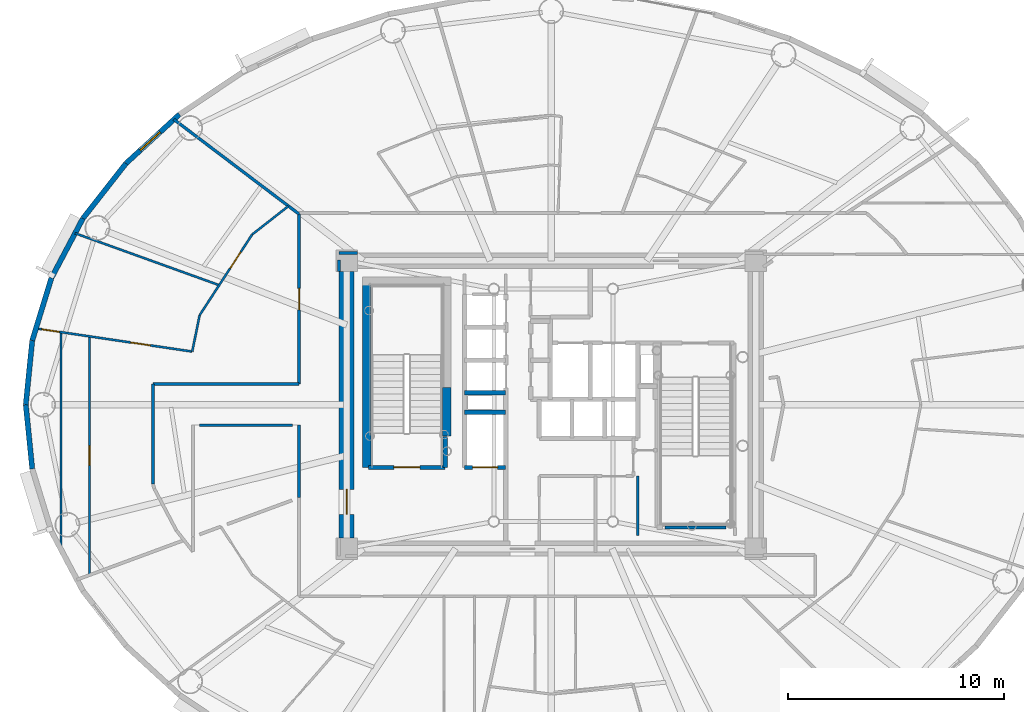
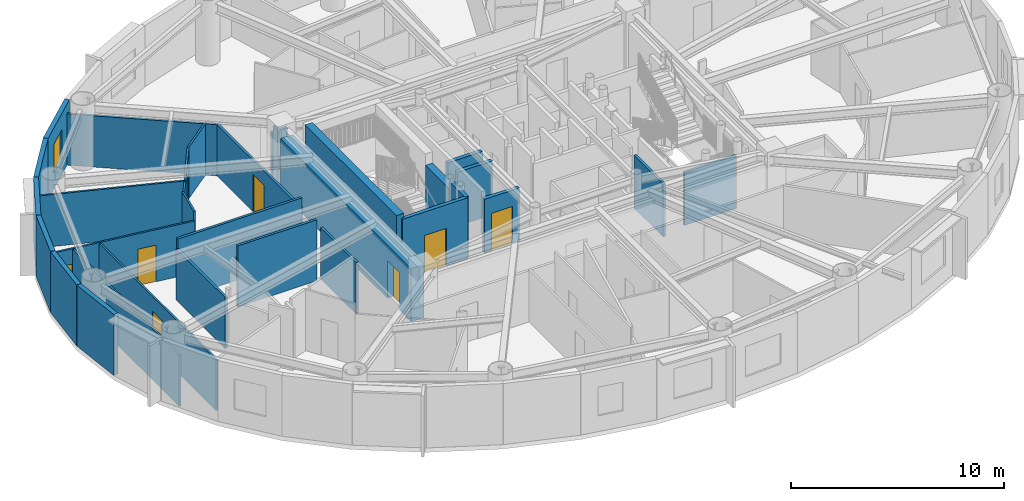
# One storey, part 8 of 20: 31 walls, 8 doors, 1 window, 9 openings.
"""IFC4 building model written with IfcOpenShell, lengths in metres."""

import ifcopenshell
import ifcopenshell.guid

model = None  # the IFC model being written
_history = None  # IfcOwnerHistory: only IFC2X3 demands one
_inside = {}  # id of a spatial element -> (the spatial element, [elements in it])
_under = {}  # id of a project, library or spatial element -> (it, [spatial elements below it])
_declared = {}  # id of a project -> (the project, [libraries it declares])
_typed = {}  # id of a type object -> (the type object, [elements of that type])
_made_of = {}  # id of a material, layer set ... -> (it, [elements and type objects made of it])


def new_model(schema):
    """Start an empty IFC model of exactly this schema.

    Asked for "IFC4X3", IfcOpenShell would pick the latest addendum, in which some entities
    have other attributes; the version numbers below select the first issue.
    IFC2X3 requires an IfcOwnerHistory on every rooted entity: one is made here for all.
    """
    global model, _history
    if schema == "IFC4X3":
        model = ifcopenshell.file(schema_version=(4, 3, 0, 0))
    else:
        model = ifcopenshell.file(schema=schema)
    _inside.clear()
    _under.clear()
    _declared.clear()
    _typed.clear()
    _made_of.clear()
    _history = None
    if model.schema == "IFC2X3":
        org = make("IfcOrganization", Name="unknown")
        user = make(
            "IfcPersonAndOrganization",
            ThePerson=make("IfcPerson", FamilyName="unknown"),
            TheOrganization=org,
        )
        app = make(
            "IfcApplication",
            ApplicationDeveloper=org,
            Version="unknown",
            ApplicationFullName="unknown",
            ApplicationIdentifier="unknown",
        )
        _history = make(
            "IfcOwnerHistory",
            OwningUser=user,
            OwningApplication=app,
            ChangeAction="ADDED",
            CreationDate=0,
        )
    return model


def make(cls, **values):
    """One entity of the class cls with the attributes given. An attribute that is None is left unset."""
    return model.create_entity(
        cls, **{name: value for name, value in values.items() if value is not None}
    )


def rooted(cls, **values):
    """An entity with a GlobalId (a new one), such as an element, a storey or a relation."""
    return make(cls, GlobalId=ifcopenshell.guid.new(), OwnerHistory=_history, **values)


def si_unit(unit_type, name, prefix=None):
    """IfcSIUnit, for example si_unit("LENGTHUNIT", "METRE", prefix="MILLI")."""
    return make("IfcSIUnit", UnitType=unit_type, Prefix=prefix, Name=name)


def assignment(units):
    """IfcUnitAssignment: the units of a project."""
    return None if units is None else make("IfcUnitAssignment", Units=units)


def point(xyz):
    """IfcCartesianPoint."""
    return None if xyz is None else make("IfcCartesianPoint", Coordinates=xyz)


def direction(xyz):
    """IfcDirection."""
    return None if xyz is None else make("IfcDirection", DirectionRatios=xyz)


def frame(location, z_axis=None, x_axis=None):
    """IfcAxis2Placement3D, a coordinate frame: its origin and axes. An axis left out is left unset."""
    return make(
        "IfcAxis2Placement3D",
        Location=point(location),
        Axis=direction(z_axis),
        RefDirection=direction(x_axis),
    )


def frame_2d(location, x_axis=None):
    """IfcAxis2Placement2D, a coordinate frame in the plane: its origin and x axis."""
    return make(
        "IfcAxis2Placement2D", Location=point(location), RefDirection=direction(x_axis)
    )


def origin():
    """The frame at (0, 0, 0) with its axes left unset."""
    return frame((0.0, 0.0, 0.0))


def origin_2d():
    """The frame at (0, 0) in the plane with its x axis left unset."""
    return frame_2d((0.0, 0.0))


def place(relative_to, where):
    """IfcLocalPlacement: puts the frame where relative to a parent placement (None: the world)."""
    return make(
        "IfcLocalPlacement", PlacementRelTo=relative_to, RelativePlacement=where
    )


def context(
    kind, dimensions, precision=None, world=None, true_north=None, identifier=None
):
    """IfcGeometricRepresentationContext, for example the 3D "Model" context."""
    return make(
        "IfcGeometricRepresentationContext",
        ContextIdentifier=identifier,
        ContextType=kind,
        CoordinateSpaceDimension=dimensions,
        Precision=precision,
        WorldCoordinateSystem=world,
        TrueNorth=true_north,
    )


def subcontext(parent, identifier, kind, view, scale=None):
    """IfcGeometricRepresentationSubContext, for example "Body" below "Model"."""
    return make(
        "IfcGeometricRepresentationSubContext",
        ContextIdentifier=identifier,
        ContextType=kind,
        ParentContext=parent,
        TargetScale=scale,
        TargetView=view,
    )


def project(units=None, contexts=None):
    """IfcProject with its units and contexts."""
    return rooted(
        "IfcProject",
        Name="project",
        RepresentationContexts=contexts,
        UnitsInContext=assignment(units),
    )


def spatial(cls, under=None, at=None, **own):
    """A site, building, storey or space (cls), placed at a placement, below another one or the project."""
    s = rooted(cls, ObjectPlacement=at, **own)
    if under is not None:
        _under.setdefault(under.id(), (under, []))[1].append(s)
    return s


def profile(cls, at=None, kind="AREA", **sizes):
    """A parametric profile (cls). Its sizes go by their IFC names, for example OverallWidth=200.0."""
    return make(cls, ProfileType=kind, Position=at, **sizes)


def rectangle(**sizes):
    """IfcRectangleProfileDef."""
    return profile("IfcRectangleProfileDef", **sizes)


def extrude(swept, where, along, depth):
    """IfcExtrudedAreaSolid: the profile swept, set in the frame where, extruded along a direction by depth."""
    return make(
        "IfcExtrudedAreaSolid",
        SweptArea=swept,
        Position=where,
        ExtrudedDirection=direction(along),
        Depth=depth,
    )


def shape(context_of_items, identifier, shape_type, items):
    """IfcShapeRepresentation: the items that make up one representation, for example the "Body"."""
    return make(
        "IfcShapeRepresentation",
        ContextOfItems=context_of_items,
        RepresentationIdentifier=identifier,
        RepresentationType=shape_type,
        Items=items,
    )


def source(mapping_origin, context_of_items, identifier, shape_type, items):
    """IfcRepresentationMap: a shape defined once, which mapped items show again and again."""
    return make(
        "IfcRepresentationMap",
        MappingOrigin=mapping_origin,
        MappedRepresentation=shape(context_of_items, identifier, shape_type, items),
    )


def transform(
    local_origin,
    x_axis=None,
    y_axis=None,
    z_axis=None,
    scale=None,
    scale2=None,
    scale3=None,
    uniform=True,
):
    """IfcCartesianTransformationOperator3D, or its non-uniform kind. x_axis, y_axis, z_axis: its Axis1, 2, 3."""
    if uniform:
        return make(
            "IfcCartesianTransformationOperator3D",
            Axis1=direction(x_axis),
            Axis2=direction(y_axis),
            LocalOrigin=point(local_origin),
            Scale=scale,
            Axis3=direction(z_axis),
        )
    return make(
        "IfcCartesianTransformationOperator3DnonUniform",
        Axis1=direction(x_axis),
        Axis2=direction(y_axis),
        LocalOrigin=point(local_origin),
        Scale=scale,
        Axis3=direction(z_axis),
        Scale2=scale2,
        Scale3=scale3,
    )


def mapped(mapping_source, mapping_target):
    """IfcMappedItem: shows the shape of a source again, moved by a transform."""
    return make(
        "IfcMappedItem", MappingSource=mapping_source, MappingTarget=mapping_target
    )


def material(Name=None, Category=None):
    """IfcMaterial."""
    return make("IfcMaterial", Name=Name, Category=Category)


def layer(
    of_material, thickness, ventilated=None, Name=None, Category=None, Priority=None
):
    """IfcMaterialLayer: one layer of a wall or slab, of a material (None: an air gap)."""
    return make(
        "IfcMaterialLayer",
        Material=of_material,
        LayerThickness=thickness,
        IsVentilated=ventilated,
        Name=Name,
        Category=Category,
        Priority=Priority,
    )


def layer_set(layers, Name=None):
    """IfcMaterialLayerSet."""
    return make("IfcMaterialLayerSet", MaterialLayers=layers, LayerSetName=Name)


def made_of(thing, what):
    """Note that an element or type object is made of a material, layer set ...; save() writes the relation."""
    if what is not None:
        _made_of.setdefault(what.id(), (what, []))[1].append(thing)
    return thing


def type_object(cls, material=None, **own):
    """A type object (cls), such as IfcWallType, which elements share."""
    return made_of(rooted(cls, **own), material)


def element(
    cls,
    number,
    at=None,
    inside=None,
    cuts=None,
    type_object=None,
    material=None,
    context=None,
    identifier="Body",
    shape_type=None,
    held_by="IfcProductDefinitionShape",
    body=None,
    shapes=None,
    **own,
):
    """One element of the class cls, such as IfcWall. Its Tag is "e" and its number.

    at: its placement. inside: the storey or other place that contains it. cuts: it is an
    opening in that element (IfcRelVoidsElement). A single representation is given by context,
    identifier, shape_type and body (its items); several are given by shapes. held_by: the class
    of the entity that holds the representations. save() writes the other relations.
    """
    e = rooted(cls, Tag="e%d" % number, ObjectPlacement=at, **own)
    if body is not None:
        shapes = [shape(context, identifier, shape_type, body)]
    if shapes is not None:
        e.Representation = make(held_by, Representations=shapes)
    if inside is not None:
        _inside.setdefault(inside.id(), (inside, []))[1].append(e)
    if cuts is not None:
        rooted(
            "IfcRelVoidsElement", RelatingBuildingElement=cuts, RelatedOpeningElement=e
        )
    if type_object is not None:
        _typed.setdefault(type_object.id(), (type_object, []))[1].append(e)
    return made_of(e, material)


def fill(opening, filler):
    """IfcRelFillsElement: the door or window that sits in an opening."""
    return rooted(
        "IfcRelFillsElement",
        RelatingOpeningElement=opening,
        RelatedBuildingElement=filler,
    )


def aggregate(whole, parts):
    """IfcRelAggregates: a whole, such as a stair, and the parts it consists of."""
    return rooted("IfcRelAggregates", RelatingObject=whole, RelatedObjects=parts)


def save(model, path):
    """Write the relations noted so far, then the file.

    IfcRelAggregates (storeys below a building ...), IfcRelContainedInSpatialStructure (elements
    in a storey), IfcRelDefinesByType, IfcRelAssociatesMaterial and IfcRelDeclares: one each for
    every whole, place, type object, material and project.
    """
    for whole, parts in _under.values():
        aggregate(whole, parts)
    for where, things in _inside.values():
        rooted(
            "IfcRelContainedInSpatialStructure",
            RelatedElements=things,
            RelatingStructure=where,
        )
    for kind, things in _typed.values():
        rooted("IfcRelDefinesByType", RelatedObjects=things, RelatingType=kind)
    for what, things in _made_of.values():
        rooted("IfcRelAssociatesMaterial", RelatedObjects=things, RelatingMaterial=what)
    for by, libraries in _declared.values():
        rooted("IfcRelDeclares", RelatingContext=by, RelatedDefinitions=libraries)
    model.write(path)


model = new_model("IFC4")

# Units and contexts
model_context = context("Model", 3, precision=1e-05, world=origin(), true_north=direction((0.0, 1.0)))
body_context = subcontext(model_context, "Body", "Model", "MODEL_VIEW")
ifc_project = project(units=[si_unit("LENGTHUNIT", "METRE"), si_unit("AREAUNIT", "SQUARE_METRE"), si_unit("VOLUMEUNIT", "CUBIC_METRE"), si_unit("PLANEANGLEUNIT", "RADIAN"), si_unit("MASSUNIT", "GRAM", prefix="KILO")], contexts=[model_context])

# Site, building, storey
site_placement = place(None, origin())
site = spatial("IfcSite", under=ifc_project, at=site_placement, CompositionType="ELEMENT")
building_placement = place(site_placement, origin())
building = spatial("IfcBuilding", under=site, at=building_placement, Name="Linh Dai School and Residence Tower", CompositionType="ELEMENT")
storey_placement = place(building_placement, frame((0.0, 0.0, 221.550048828125)))
storey = spatial("IfcBuildingStorey", under=building, at=storey_placement, Name="L54", CompositionType="ELEMENT", Elevation=221.550048828125)

# Wall, opening, window
ifc_material_1 = material(Name="Precast Concrete B45 (C35/45)", Category="concrete")
ifc_layer_1 = layer(ifc_material_1, 0.239990234375)
ifc_layer_set_1 = layer_set([ifc_layer_1], Name="Precast Concrete B45 (C35/45)")
wall_type_1 = type_object("IfcWallType", Name="EW-TC-240", PredefinedType="SOLIDWALL", material=ifc_layer_set_1)
wall_1_placement = place(storey_placement, frame((16.3515625, 38.14453125, 0.0), z_axis=(0.0, 0.0, 1.0), x_axis=(0.737123922599, 0.675757591694, 0.0)))
wall_1 = element("IfcWall", 1, at=wall_1_placement, inside=storey, type_object=wall_type_1, Name="L54 Terracotta Exterior Wall 16", PredefinedType="SOLIDWALL", context=body_context, shape_type="SweptSolid", body=[
    extrude(rectangle(XDim=3.353759765625, YDim=0.239990234375, at=frame_2d((1.6767578125, 0.0))), origin(), (0.0, 0.0, 1.0), 3.5),
])
opening_1_placement = place(wall_1_placement, frame((0.8955078125, 0.0, 0.89990234375)))
opening_1 = element("IfcOpeningElement", 2, at=opening_1_placement, cuts=wall_1, Name="Opening W3", PredefinedType="OPENING", context=body_context, shape_type="SweptSolid", body=[
    extrude(rectangle(XDim=1.25, YDim=1.64990234375, at=origin_2d()), frame((0.625, 0.1298828125, 0.824951171875), z_axis=(0.0, -1.0, 0.0), x_axis=(1.0, 0.0, 0.0)), (0.0, 0.0, 1.0), 0.260009765625),
])
ifc_material_2 = material(Name="Double Low-E Insulated Glazing", Category="glass")
window_type = type_object("IfcWindowType", Name="WN-RES-1250x1650", PartitioningType="SINGLE_PANEL", PredefinedType="WINDOW", material=ifc_material_2)
shared_shape_1 = source(origin(), body_context, "Body", "SweptSolid", [
    extrude(rectangle(XDim=1.25, YDim=1.64990234375, at=origin_2d()), frame((0.625, 0.030029296875, 0.824951171875), z_axis=(0.0, -1.0, 0.0), x_axis=(1.0, 0.0, 0.0)), (0.0, 0.0, 1.0), 0.06005859375),
])
window_placement = place(opening_1_placement, origin())
window = element("IfcWindow", 3, at=window_placement, inside=storey, type_object=window_type, Name="L54 Exterior Window 16.1", OverallHeight=1.64990234375, OverallWidth=1.25, PartitioningType="SINGLE_PANEL", PredefinedType="WINDOW", context=body_context, shape_type="MappedRepresentation", body=[
    mapped(shared_shape_1, transform((0.0, 0.0, 0.0), x_axis=(1.0, 0.0, 0.0), y_axis=(0.0, 1.0, 0.0), z_axis=(0.0, 0.0, 1.0), scale=1.0)),
])
fill(opening_1, window)

# Walls
wall_2_placement = place(storey_placement, frame((14.3642578125, 35.605224609375, 0.0), z_axis=(0.0, 0.0, 1.0), x_axis=(0.616312344705, 0.787501805562, 0.0)))
element("IfcWall", 4, at=wall_2_placement, inside=storey, type_object=wall_type_1, Name="L54 Terracotta Exterior Wall 17", PredefinedType="SOLIDWALL", context=body_context, shape_type="SweptSolid", body=[
    extrude(rectangle(XDim=3.224609375, YDim=0.239990234375, at=frame_2d((1.6123046875, 0.0))), origin(), (0.0, 0.0, 1.0), 3.5),
])
wall_3_placement = place(storey_placement, frame((12.90966796875, 32.85595703125, 0.0), z_axis=(0.0, 0.0, 1.0), x_axis=(0.46766049993, 0.883908172157, 0.0)))
element("IfcWall", 5, at=wall_3_placement, inside=storey, type_object=wall_type_1, Name="L54 Terracotta Exterior Wall 18", PredefinedType="SOLIDWALL", context=body_context, shape_type="SweptSolid", body=[
    extrude(rectangle(XDim=3.1103515625, YDim=0.239990234375, at=frame_2d((1.55517578125, 0.0))), origin(), (0.0, 0.0, 1.0), 3.5),
])
wall_4_placement = place(storey_placement, frame((12.02294921875, 29.9638671875, 0.0), z_axis=(0.0, 0.0, 1.0), x_axis=(0.293132907334, 0.95607170162, 0.0)))
element("IfcWall", 6, at=wall_4_placement, inside=storey, type_object=wall_type_1, Name="L54 Terracotta Exterior Wall 19", PredefinedType="SOLIDWALL", context=body_context, shape_type="SweptSolid", body=[
    extrude(rectangle(XDim=3.02490234375, YDim=0.239990234375, at=frame_2d((1.512451171875, 0.0))), origin(), (0.0, 0.0, 1.0), 3.5),
])
for number, where, z_axis, x_axis, name in (
    (7, (11.72509765625, 27.0, 0.0), (0.0, 0.0, 1.0), (0.099990595253, 0.994988382274, 0.0), "L54 Terracotta Exterior Wall 20"),
    (8, (12.02294921875, 24.0361328125, 0.0), (0.0, 0.0, 1.0), (-0.099990595253, 0.994988382274, 0.0), "L54 Terracotta Exterior Wall 21"),
):
    element("IfcWall", number, at=place(storey_placement, frame(where, z_axis=z_axis, x_axis=x_axis)), inside=storey, type_object=wall_type_1, Name=name, PredefinedType="SOLIDWALL", context=body_context, shape_type="SweptSolid", body=[
        extrude(rectangle(XDim=2.978759765625, YDim=0.239990234375, at=frame_2d((1.4892578125, 0.0))), origin(), (0.0, 0.0, 1.0), 3.5),
    ])
ifc_material_3 = material(Name="Autoclaved Aerated Concrete Blockwork", Category="masonry")
ifc_layer_2 = layer(ifc_material_3, 0.135009765625)
ifc_layer_set_2 = layer_set([ifc_layer_2], Name="Autoclaved Aerated Concrete Blockwork")
wall_type_2 = type_object("IfcWallType", Name="IW-CORR-135-EI90", PredefinedType="PARTITIONING", material=ifc_layer_set_2)
wall_5_placement = place(storey_placement, frame((17.60009765625, 23.327880859375, 0.0), z_axis=(0.0, 0.0, 1.0), x_axis=(0.0, 1.0, 0.0)))
element("IfcWall", 9, at=wall_5_placement, inside=storey, type_object=wall_type_2, Name="L54 Interior Partition Wall 006", PredefinedType="PARTITIONING", context=body_context, shape_type="SweptSolid", body=[
    extrude(rectangle(XDim=4.6220703125, YDim=0.135009765625, at=frame_2d((2.31103515625, 0.0))), origin(), (0.0, 0.0, 1.0), 2.93505859375),
])
wall_6_placement = place(storey_placement, frame((17.60009765625, 27.949951171875, 0.0), z_axis=(0.0, 0.0, 1.0), x_axis=(1.0, 0.0, 0.0)))
element("IfcWall", 10, at=wall_6_placement, inside=storey, type_object=wall_type_2, Name="L54 Interior Partition Wall 008", PredefinedType="PARTITIONING", context=body_context, shape_type="SweptSolid", body=[
    extrude(rectangle(XDim=6.75, YDim=0.135009765625, at=frame_2d((3.375, 0.0))), origin(), (0.0, 0.0, 1.0), 3.5),
])
wall_7_placement = place(storey_placement, frame((18.56494140625, 40.180419921875, 0.0), z_axis=(0.0, 0.0, 1.0), x_axis=(0.797711861377, -0.603038793295, 0.0)))
element("IfcWall", 11, at=wall_7_placement, inside=storey, type_object=wall_type_2, Name="L54 Interior Partition Wall 011", PredefinedType="PARTITIONING", context=body_context, shape_type="SweptSolid", body=[
    extrude(rectangle(XDim=7.25244140625, YDim=0.135009765625, at=frame_2d((3.626220703125, 0.0))), origin(), (0.0, 0.0, 1.0), 2.93505859375),
])

# Wall, opening, door
wall_8_placement = place(storey_placement, frame((24.35009765625, 27.949951171875, 0.0), z_axis=(0.0, 0.0, 1.0), x_axis=(0.0, 1.0, 0.0)))
wall_8 = element("IfcWall", 12, at=wall_8_placement, inside=storey, type_object=wall_type_2, Name="L54 Interior Partition Wall 022", PredefinedType="PARTITIONING", context=body_context, shape_type="SweptSolid", body=[
    extrude(rectangle(XDim=7.857177734375, YDim=0.135009765625, at=frame_2d((3.9287109375, 0.0))), origin(), (0.0, 0.0, 1.0), 2.93505859375),
])
opening_2_placement = place(wall_8_placement, frame((3.4287109375, 0.0, 0.0)))
opening_2 = element("IfcOpeningElement", 13, at=opening_2_placement, cuts=wall_8, Name="Opening D03", PredefinedType="OPENING", context=body_context, shape_type="SweptSolid", body=[
    extrude(rectangle(XDim=1.0, YDim=2.14990234375, at=origin_2d()), frame((0.5, 0.07763671875, 1.074951171875), z_axis=(0.0, -1.0, 0.0), x_axis=(1.0, 0.0, 0.0)), (0.0, 0.0, 1.0), 0.155029296875),
])
ifc_material_4 = material(Name="Fire-Rated Solid Timber Entrance Door", Category="wood")
door_type_1 = type_object("IfcDoorType", Name="DR-FLAT-1000x2150-FD60S", OperationType="NOTDEFINED", PredefinedType="DOOR", material=ifc_material_4)
shared_shape_2 = source(origin(), body_context, "Body", "SweptSolid", [
    extrude(rectangle(XDim=1.0, YDim=2.14990234375, at=origin_2d()), frame((0.5, 0.02490234375, 1.074951171875), z_axis=(0.0, -1.0, 0.0), x_axis=(1.0, 0.0, 0.0)), (0.0, 0.0, 1.0), 0.050048828125),
])
door_1_placement = place(opening_2_placement, origin())
door_1 = element("IfcDoor", 14, at=door_1_placement, inside=storey, type_object=door_type_1, Name="L54 U5404 Apartment Entrance Door", OperationType="SINGLE_SWING_RIGHT", OverallHeight=2.14990234375, OverallWidth=1.0, PredefinedType="DOOR", context=body_context, shape_type="MappedRepresentation", body=[
    mapped(shared_shape_2, transform((0.0, 0.0, 0.0), x_axis=(1.0, 0.0, 0.0), y_axis=(0.0, 1.0, 0.0), z_axis=(0.0, 0.0, 1.0), scale=1.0)),
])
fill(opening_2, door_1)

# Walls
wall_9_placement = place(storey_placement, frame((44.080078125, 21.330078125, 0.0), z_axis=(0.0, 0.0, 1.0), x_axis=(-1.0, 0.0, 0.0)))
element("IfcWall", 15, at=wall_9_placement, inside=storey, type_object=wall_type_2, Name="L54 Interior Partition Wall 099", PredefinedType="PARTITIONING", context=body_context, shape_type="SweptSolid", body=[
    extrude(rectangle(XDim=2.820068359375, YDim=0.135009765625, at=frame_2d((1.41015625, 0.0))), origin(), (0.0, 0.0, 1.0), 3.034912109375),
])
wall_10_placement = place(storey_placement, frame((40.0, 23.699951171875, 0.0), z_axis=(0.0, 0.0, 1.0), x_axis=(0.0, -1.0, 0.0)))
element("IfcWall", 16, at=wall_10_placement, inside=storey, type_object=wall_type_2, Name="L54 Interior Partition Wall 101", PredefinedType="PARTITIONING", context=body_context, shape_type="SweptSolid", body=[
    extrude(rectangle(XDim=2.739990234375, YDim=0.135009765625, at=frame_2d((1.3701171875, 0.0))), origin(), (0.0, 0.0, 1.0), 3.034912109375),
])
wall_11_placement = place(storey_placement, frame((27.0400390625, 34.0, 0.0), z_axis=(0.0, 0.0, 1.0), x_axis=(-1.0, 0.0, 0.0)))
element("IfcWall", 17, at=wall_11_placement, inside=storey, type_object=wall_type_2, Name="L54 Interior Partition Wall 108", PredefinedType="PARTITIONING", context=body_context, shape_type="SweptSolid", body=[
    extrude(rectangle(XDim=0.840087890625, YDim=0.135009765625, at=frame_2d((0.419921875, 0.0))), origin(), (0.0, 0.0, 1.0), 2.93505859375),
])
wall_12_placement = place(storey_placement, frame((26.199951171875, 33.6923828125, 0.0), z_axis=(0.0, 0.0, 1.0), x_axis=(0.0, -1.0, 0.0)))
element("IfcWall", 18, at=wall_12_placement, inside=storey, type_object=wall_type_2, Name="L54 Interior Partition Wall 109", PredefinedType="PARTITIONING", context=body_context, shape_type="SweptSolid", body=[
    extrude(rectangle(XDim=0.532470703125, YDim=0.135009765625, at=frame_2d((0.26611328125, 0.0))), origin(), (0.0, 0.0, 1.0), 3.5),
])
wall_13_placement = place(storey_placement, frame((24.35009765625, 22.71044921875, 0.0), z_axis=(0.0, 0.0, 1.0), x_axis=(0.0, 1.0, 0.0)))
element("IfcWall", 19, at=wall_13_placement, inside=storey, type_object=wall_type_2, Name="L54 Interior Partition Wall 113", PredefinedType="PARTITIONING", context=body_context, shape_type="SweptSolid", body=[
    extrude(rectangle(XDim=3.339599609375, YDim=0.135009765625, at=frame_2d((1.669921875, 0.0))), origin(), (0.0, 0.0, 1.0), 2.93505859375),
])
wall_14_placement = place(storey_placement, frame((24.04248046875, 26.050048828125, 0.0), z_axis=(0.0, 0.0, 1.0), x_axis=(-1.0, 0.0, 0.0)))
element("IfcWall", 20, at=wall_14_placement, inside=storey, type_object=wall_type_2, Name="L54 Interior Partition Wall 114", PredefinedType="PARTITIONING", context=body_context, shape_type="SweptSolid", body=[
    extrude(rectangle(XDim=4.284912109375, YDim=0.135009765625, at=frame_2d((2.142578125, 0.0))), origin(), (0.0, 0.0, 1.0), 3.5),
])

# Wall, opening, door
ifc_material_5 = material(Name="Concrete B45 (C35/45)", Category="concrete")
ifc_layer_3 = layer(ifc_material_5, 0.199951171875)
ifc_layer_set_3 = layer_set([ifc_layer_3], Name="Concrete B45 (C35/45)")
wall_type_3 = type_object("IfcWallType", Name="IW-SHAFT-200-EI120", PredefinedType="PARTITIONING", material=ifc_layer_set_3)
wall_15_placement = place(storey_placement, frame((27.56005859375, 24.10009765625, 0.0), z_axis=(0.0, 0.0, 1.0), x_axis=(1.0, 0.0, 0.0)))
wall_15 = element("IfcWall", 21, at=wall_15_placement, inside=storey, type_object=wall_type_3, Name="L54 Interior Partition Wall 025", PredefinedType="PARTITIONING", context=body_context, shape_type="SweptSolid", body=[
    extrude(rectangle(XDim=3.5400390625, YDim=0.199951171875, at=frame_2d((1.77001953125, 0.0))), origin(), (0.0, 0.0, 1.0), 3.5),
])
opening_3_placement = place(wall_15_placement, frame((1.169921875, 0.0, 0.0)))
opening_3 = element("IfcOpeningElement", 22, at=opening_3_placement, cuts=wall_15, Name="Opening D01", PredefinedType="OPENING", context=body_context, shape_type="SweptSolid", body=[
    extrude(rectangle(XDim=1.199951171875, YDim=2.14990234375, at=origin_2d()), frame((0.60009765625, 0.10986328125, 1.074951171875), z_axis=(0.0, -1.0, 0.0), x_axis=(1.0, 0.0, 0.0)), (0.0, 0.0, 1.0), 0.219970703125),
])
ifc_material_6 = material(Name="Fire-Rated Steel Door Leaf", Category="steel")
door_type_2 = type_object("IfcDoorType", Name="DR-STAIR-1200x2150-FD90S", OperationType="NOTDEFINED", PredefinedType="DOOR", material=ifc_material_6)
shared_shape_3 = source(origin(), body_context, "Body", "SweptSolid", [
    extrude(rectangle(XDim=1.199951171875, YDim=2.14990234375, at=origin_2d()), frame((0.60009765625, 0.02490234375, 1.074951171875), z_axis=(0.0, -1.0, 0.0), x_axis=(1.0, 0.0, 0.0)), (0.0, 0.0, 1.0), 0.050048828125),
])
door_2_placement = place(opening_3_placement, origin())
door_2 = element("IfcDoor", 23, at=door_2_placement, inside=storey, type_object=door_type_2, Name="L54 Core Smokeproof Exit Stair ST1 Door", OperationType="SINGLE_SWING_LEFT", OverallHeight=2.14990234375, OverallWidth=1.199951171875, PredefinedType="DOOR", context=body_context, shape_type="MappedRepresentation", body=[
    mapped(shared_shape_3, transform((0.0, 0.0, 0.0), x_axis=(1.0, 0.0, 0.0), y_axis=(0.0, 1.0, 0.0), z_axis=(0.0, 0.0, 1.0), scale=1.0)),
])
fill(opening_3, door_2)

# Wall
wall_16_placement = place(storey_placement, frame((31.10009765625, 24.10009765625, 0.0), z_axis=(0.0, 0.0, 1.0), x_axis=(0.0, 1.0, 0.0)))
element("IfcWall", 24, at=wall_16_placement, inside=storey, type_object=wall_type_3, Name="L54 Interior Partition Wall 032", PredefinedType="PARTITIONING", context=body_context, shape_type="SweptSolid", body=[
    extrude(rectangle(XDim=1.43994140625, YDim=0.199951171875, at=frame_2d((0.719970703125, 0.0))), origin(), (0.0, 0.0, 1.0), 3.5),
])

# Wall, opening, door
wall_17_placement = place(storey_placement, frame((32.0, 24.10009765625, 0.0), z_axis=(0.0, 0.0, 1.0), x_axis=(1.0, 0.0, 0.0)))
wall_17 = element("IfcWall", 25, at=wall_17_placement, inside=storey, type_object=wall_type_3, Name="L54 Interior Partition Wall 036", PredefinedType="PARTITIONING", context=body_context, shape_type="SweptSolid", body=[
    extrude(rectangle(XDim=1.89990234375, YDim=0.199951171875, at=frame_2d((0.949951171875, 0.0))), origin(), (0.0, 0.0, 1.0), 3.0849609375),
])
opening_4_placement = place(wall_17_placement, frame((0.375, 0.0, 0.0)))
opening_4 = element("IfcOpeningElement", 26, at=opening_4_placement, cuts=wall_17, Name="Opening LD-FF2", PredefinedType="OPENING", context=body_context, shape_type="SweptSolid", body=[
    extrude(rectangle(XDim=1.14990234375, YDim=2.14990234375, at=origin_2d()), frame((0.574951171875, 0.10986328125, 1.074951171875), z_axis=(0.0, -1.0, 0.0), x_axis=(1.0, 0.0, 0.0)), (0.0, 0.0, 1.0), 0.219970703125),
])
ifc_material_7 = material(Name="Fire-Rated Stainless Steel Firefighting Lift Door", Category="steel")
door_type_3 = type_object("IfcDoorType", Name="DR-LD-FF-1150x2150-FD120", OperationType="DOUBLE_DOOR_SLIDING", PredefinedType="USERDEFINED", material=ifc_material_7)
shared_shape_4 = source(origin(), body_context, "Body", "SweptSolid", [
    extrude(rectangle(XDim=1.14990234375, YDim=2.14990234375, at=origin_2d()), frame((0.574951171875, 0.02490234375, 1.074951171875), z_axis=(0.0, -1.0, 0.0), x_axis=(1.0, 0.0, 0.0)), (0.0, 0.0, 1.0), 0.050048828125),
])
door_3_placement = place(opening_4_placement, origin())
door_3 = element("IfcDoor", 27, at=door_3_placement, inside=storey, type_object=door_type_3, Name="L54 Lift FF2 Sliding Landing Door", ObjectType="LANDING DOOR", OperationType="DOUBLE_DOOR_SLIDING", OverallHeight=2.14990234375, OverallWidth=1.14990234375, PredefinedType="USERDEFINED", context=body_context, shape_type="MappedRepresentation", body=[
    mapped(shared_shape_4, transform((0.0, 0.0, 0.0), x_axis=(1.0, 0.0, 0.0), y_axis=(0.0, 1.0, 0.0), z_axis=(0.0, 0.0, 1.0), scale=1.0)),
])
fill(opening_4, door_3)

# Walls
for number, where, z_axis, x_axis, name in (
    (28, (32.0, 26.64990234375, 0.0), (0.0, 0.0, 1.0), (1.0, 0.0, 0.0), "L54 Interior Partition Wall 037"),
    (29, (32.0, 27.550048828125, 0.0), (0.0, 0.0, 1.0), (1.0, 0.0, 0.0), "L54 Interior Partition Wall 038"),
):
    element("IfcWall", number, at=place(storey_placement, frame(where, z_axis=z_axis, x_axis=x_axis)), inside=storey, type_object=wall_type_3, Name=name, PredefinedType="PARTITIONING", context=body_context, shape_type="SweptSolid", body=[
        extrude(rectangle(XDim=1.89990234375, YDim=0.199951171875, at=frame_2d((0.949951171875, 0.0))), origin(), (0.0, 0.0, 1.0), 3.0849609375),
    ])

# Wall, openings, doors
ifc_material_8 = material(Name="Gypsum Plasterboard Acoustic Stud Partition", Category="masonry")
ifc_layer_4 = layer(ifc_material_8, 0.10009765625)
ifc_layer_set_4 = layer_set([ifc_layer_4], Name="Gypsum Plasterboard Acoustic Stud Partition")
wall_type_4 = type_object("IfcWallType", Name="IW-UNIT-100", PredefinedType="PARTITIONING", material=ifc_layer_set_4)
wall_18_placement = place(storey_placement, frame((12.189208984375, 30.52294921875, 0.0), z_axis=(0.0, 0.0, 1.0), x_axis=(0.98923000083, -0.146369414352, 0.0)))
wall_18 = element("IfcWall", 30, at=wall_18_placement, inside=storey, type_object=wall_type_4, Name="L54 Interior Partition Wall 001", PredefinedType="PARTITIONING", context=body_context, shape_type="SweptSolid", body=[
    extrude(rectangle(XDim=7.3056640625, YDim=0.10009765625, at=frame_2d((3.65283203125, 0.0))), origin(), (0.0, 0.0, 1.0), 2.98486328125),
])
opening_5_placement = place(wall_18_placement, frame((4.436767578125, 0.0, 0.0)))
opening_5 = element("IfcOpeningElement", 31, at=opening_5_placement, cuts=wall_18, Name="Opening D05", PredefinedType="OPENING", context=body_context, shape_type="SweptSolid", body=[
    extrude(rectangle(XDim=0.89990234375, YDim=2.10009765625, at=origin_2d()), frame((0.449951171875, 0.06005859375, 1.050048828125), z_axis=(0.0, -1.0, 0.0), x_axis=(1.0, 0.0, 0.0)), (0.0, 0.0, 1.0), 0.1201171875),
])
opening_6_placement = place(wall_18_placement, frame((0.27197265625, 0.0, 0.0)))
opening_6 = element("IfcOpeningElement", 32, at=opening_6_placement, cuts=wall_18, Name="Opening D06", PredefinedType="OPENING", context=body_context, shape_type="SweptSolid", body=[
    extrude(rectangle(XDim=0.820068359375, YDim=2.10009765625, at=origin_2d()), frame((0.41015625, 0.06005859375, 1.050048828125), z_axis=(0.0, -1.0, 0.0), x_axis=(1.0, 0.0, 0.0)), (0.0, 0.0, 1.0), 0.1201171875),
])
ifc_material_9 = material(Name="Moisture-Resistant Timber Bathroom Door", Category="wood")
door_type_4 = type_object("IfcDoorType", Name="DR-WET-820x2100", OperationType="NOTDEFINED", PredefinedType="DOOR", material=ifc_material_9)
shared_shape_5 = source(origin(), body_context, "Body", "SweptSolid", [
    extrude(rectangle(XDim=0.820068359375, YDim=2.10009765625, at=origin_2d()), frame((0.41015625, 0.02490234375, 1.050048828125), z_axis=(0.0, -1.0, 0.0), x_axis=(1.0, 0.0, 0.0)), (0.0, 0.0, 1.0), 0.050048828125),
])
door_4_placement = place(opening_6_placement, origin())
door_4 = element("IfcDoor", 33, at=door_4_placement, inside=storey, type_object=door_type_4, Name="L54 Apartment U5404 Bathroom 1 Door", OperationType="SINGLE_SWING_LEFT", OverallHeight=2.10009765625, OverallWidth=0.820068359375, PredefinedType="DOOR", context=body_context, shape_type="MappedRepresentation", body=[
    mapped(shared_shape_5, transform((0.0, 0.0, 0.0), x_axis=(1.0, 0.0, 0.0), y_axis=(0.0, 1.0, 0.0), z_axis=(0.0, 0.0, 1.0), scale=1.0)),
])
fill(opening_6, door_4)
ifc_material_10 = material(Name="Engineered Timber Internal Door", Category="wood")
door_type_5 = type_object("IfcDoorType", Name="DR-INT-900x2100", OperationType="NOTDEFINED", PredefinedType="DOOR", material=ifc_material_10)
shared_shape_6 = source(origin(), body_context, "Body", "SweptSolid", [
    extrude(rectangle(XDim=0.89990234375, YDim=2.10009765625, at=origin_2d()), frame((0.449951171875, 0.02490234375, 1.050048828125), z_axis=(0.0, -1.0, 0.0), x_axis=(1.0, 0.0, 0.0)), (0.0, 0.0, 1.0), 0.050048828125),
])
door_5_placement = place(opening_5_placement, origin())
door_5 = element("IfcDoor", 34, at=door_5_placement, inside=storey, type_object=door_type_5, Name="L54 Apartment U5404 Study Door", OperationType="SINGLE_SWING_RIGHT", OverallHeight=2.10009765625, OverallWidth=0.89990234375, PredefinedType="DOOR", context=body_context, shape_type="MappedRepresentation", body=[
    mapped(shared_shape_6, transform((0.0, 0.0, 0.0), x_axis=(1.0, 0.0, 0.0), y_axis=(0.0, 1.0, 0.0), z_axis=(0.0, 0.0, 1.0), scale=1.0)),
])
fill(opening_5, door_5)

# Walls
wall_19_placement = place(storey_placement, frame((13.35009765625, 20.30126953125, 0.0), z_axis=(0.0, 0.0, 1.0), x_axis=(0.0, 1.0, 0.0)))
element("IfcWall", 35, at=wall_19_placement, inside=storey, type_object=wall_type_4, Name="L54 Interior Partition Wall 002", PredefinedType="PARTITIONING", context=body_context, shape_type="SweptSolid", body=[
    extrude(rectangle(XDim=10.0498046875, YDim=0.10009765625, at=frame_2d((5.02490234375, 0.0))), origin(), (0.0, 0.0, 1.0), 2.93505859375),
])
wall_20_placement = place(storey_placement, frame((13.996826171875, 34.92138671875, 0.0), z_axis=(0.0, 0.0, 1.0), x_axis=(0.940885654064, -0.338724351023, 0.0)))
element("IfcWall", 36, at=wall_20_placement, inside=storey, type_object=wall_type_4, Name="L54 Interior Partition Wall 003", PredefinedType="PARTITIONING", context=body_context, shape_type="SweptSolid", body=[
    extrude(rectangle(XDim=7.082275390625, YDim=0.10009765625, at=frame_2d((3.541015625, 0.0))), origin(), (0.0, 0.0, 1.0), 2.98486328125),
])

# Wall, opening, door
wall_21_placement = place(storey_placement, frame((14.669921875, 19.128173828125, 0.0), z_axis=(0.0, 0.0, 1.0), x_axis=(0.0, 1.0, 0.0)))
wall_21 = element("IfcWall", 37, at=wall_21_placement, inside=storey, type_object=wall_type_4, Name="L54 Interior Partition Wall 005", PredefinedType="PARTITIONING", context=body_context, shape_type="SweptSolid", body=[
    extrude(rectangle(XDim=11.027587890625, YDim=0.10009765625, at=frame_2d((5.513671875, 0.0))), origin(), (0.0, 0.0, 1.0), 2.93505859375),
])
opening_7_placement = place(wall_21_placement, frame((5.063720703125, 0.0, 0.0)))
opening_7 = element("IfcOpeningElement", 38, at=opening_7_placement, cuts=wall_21, Name="Opening D05", PredefinedType="OPENING", context=body_context, shape_type="SweptSolid", body=[
    extrude(rectangle(XDim=0.89990234375, YDim=2.10009765625, at=origin_2d()), frame((0.449951171875, 0.06005859375, 1.050048828125), z_axis=(0.0, -1.0, 0.0), x_axis=(1.0, 0.0, 0.0)), (0.0, 0.0, 1.0), 0.1201171875),
])
door_6_placement = place(opening_7_placement, origin())
door_6 = element("IfcDoor", 39, at=door_6_placement, inside=storey, type_object=door_type_5, Name="L54 Apartment U5404 Kitchen Door", OperationType="SINGLE_SWING_RIGHT", OverallHeight=2.10009765625, OverallWidth=0.89990234375, PredefinedType="DOOR", context=body_context, shape_type="MappedRepresentation", body=[
    mapped(shared_shape_6, transform((0.0, 0.0, 0.0), x_axis=(1.0, 0.0, 0.0), y_axis=(0.0, 1.0, 0.0), z_axis=(0.0, 0.0, 1.0), scale=1.0)),
])
fill(opening_7, door_6)

# Wall
wall_22_placement = place(storey_placement, frame((19.416259765625, 29.45361328125, 0.0), z_axis=(0.0, 0.0, 1.0), x_axis=(0.198253557863, 0.980150767379, 0.0)))
element("IfcWall", 40, at=wall_22_placement, inside=storey, type_object=wall_type_4, Name="L54 Interior Partition Wall 013", PredefinedType="PARTITIONING", context=body_context, shape_type="SweptSolid", body=[
    extrude(rectangle(XDim=1.712890625, YDim=0.10009765625, at=frame_2d((0.8564453125, 0.0))), origin(), (0.0, 0.0, 1.0), 3.5),
])

# Wall, opening, door
wall_23_placement = place(storey_placement, frame((19.755859375, 31.132568359375, 0.0), z_axis=(0.0, 0.0, 1.0), x_axis=(0.545406924684, 0.83817139447, 0.0)))
wall_23 = element("IfcWall", 41, at=wall_23_placement, inside=storey, type_object=wall_type_4, Name="L54 Interior Partition Wall 015", PredefinedType="PARTITIONING", context=body_context, shape_type="SweptSolid", body=[
    extrude(rectangle(XDim=4.447998046875, YDim=0.10009765625, at=frame_2d((2.22412109375, 0.0))), origin(), (0.0, 0.0, 1.0), 2.93505859375),
])
opening_8_placement = place(wall_23_placement, frame((2.5830078125, 0.0, 0.0)))
opening_8 = element("IfcOpeningElement", 42, at=opening_8_placement, cuts=wall_23, Name="Opening D05", PredefinedType="OPENING", context=body_context, shape_type="SweptSolid", body=[
    extrude(rectangle(XDim=0.89990234375, YDim=2.10009765625, at=origin_2d()), frame((0.449951171875, 0.06005859375, 1.050048828125), z_axis=(0.0, -1.0, 0.0), x_axis=(1.0, 0.0, 0.0)), (0.0, 0.0, 1.0), 0.1201171875),
])
door_7_placement = place(opening_8_placement, origin())
door_7 = element("IfcDoor", 43, at=door_7_placement, inside=storey, type_object=door_type_5, Name="L54 Apartment U5404 Principal Bedroom 1 Door", OperationType="SINGLE_SWING_LEFT", OverallHeight=2.10009765625, OverallWidth=0.89990234375, PredefinedType="DOOR", context=body_context, shape_type="MappedRepresentation", body=[
    mapped(shared_shape_6, transform((0.0, 0.0, 0.0), x_axis=(1.0, 0.0, 0.0), y_axis=(0.0, 1.0, 0.0), z_axis=(0.0, 0.0, 1.0), scale=1.0)),
])
fill(opening_8, door_7)

# Walls
wall_24_placement = place(storey_placement, frame((22.181884765625, 34.86083984375, 0.0), z_axis=(0.0, 0.0, 1.0), x_axis=(0.787401156588, 0.616440928722, 0.0)))
element("IfcWall", 44, at=wall_24_placement, inside=storey, type_object=wall_type_4, Name="L54 Interior Partition Wall 018", PredefinedType="PARTITIONING", context=body_context, shape_type="SweptSolid", body=[
    extrude(rectangle(XDim=2.133544921875, YDim=0.10009765625, at=frame_2d((1.06689453125, 0.0))), origin(), (0.0, 0.0, 1.0), 2.93505859375),
])
ifc_layer_5 = layer(ifc_material_5, 0.39990234375)
ifc_layer_set_5 = layer_set([ifc_layer_5], Name="Concrete B45 (C35/45)")
wall_type_5 = type_object("IfcWallType", Name="WL-CORE400", PredefinedType="SHEAR", material=ifc_layer_set_5)
wall_25_placement = place(storey_placement, frame((27.47998046875, 24.10009765625, 0.0), z_axis=(0.0, 0.0, 1.0), x_axis=(0.0, 1.0, 0.0)))
element("IfcWall", 45, at=wall_25_placement, inside=storey, type_object=wall_type_5, Name="L54 Core Stair ST1 Bearing Wall W", PredefinedType="SHEAR", context=body_context, shape_type="SweptSolid", body=[
    extrude(rectangle(XDim=8.599853515625, YDim=0.39990234375, at=frame_2d((4.2998046875, 0.0))), origin(), (0.0, 0.0, 1.0), 3.75),
])
wall_26_placement = place(storey_placement, frame((31.179931640625, 25.550048828125, 0.0), z_axis=(0.0, 0.0, 1.0), x_axis=(0.0, 1.0, 0.0)))
element("IfcWall", 46, at=wall_26_placement, inside=storey, type_object=wall_type_5, Name="L54 Internal Core Shear Wall IW", PredefinedType="SHEAR", context=body_context, shape_type="SweptSolid", body=[
    extrude(rectangle(XDim=2.25, YDim=0.39990234375, at=frame_2d((1.125, 0.0))), origin(), (0.0, 0.0, 1.0), 3.099853515625),
])

# Wall, opening, door
ifc_layer_6 = layer(ifc_material_5, 0.699951171875)
ifc_layer_set_6 = layer_set([ifc_layer_6], Name="Concrete B45 (C35/45)")
wall_type_6 = type_object("IfcWallType", Name="WL-CORE700", PredefinedType="SHEAR", material=ifc_layer_set_6)
wall_27_placement = place(storey_placement, frame((26.550048828125, 20.85009765625, 0.0), z_axis=(0.0, 0.0, 1.0), x_axis=(0.0, 1.0, 0.0)))
wall_27 = element("IfcWall", 47, at=wall_27_placement, inside=storey, type_object=wall_type_6, Name="L54 Central Core Shear Wall W", PredefinedType="SHEAR", context=body_context, shape_type="SweptSolid", body=[
    extrude(rectangle(XDim=12.2998046875, YDim=0.699951171875, at=frame_2d((6.14990234375, 0.0))), origin(), (0.0, 0.0, 1.0), 3.050048828125),
])
opening_9_placement = place(wall_27_placement, frame((1.085205078125, 0.0, 0.0)))
opening_9 = element("IfcOpeningElement", 48, at=opening_9_placement, cuts=wall_27, Name="Opening D02", PredefinedType="OPENING", context=body_context, shape_type="SweptSolid", body=[
    extrude(rectangle(XDim=1.14990234375, YDim=2.14990234375, at=origin_2d()), frame((0.574951171875, 0.35986328125, 1.074951171875), z_axis=(0.0, -1.0, 0.0), x_axis=(1.0, 0.0, 0.0)), (0.0, 0.0, 1.0), 0.719970703125),
])
ifc_material_11 = material(Name="Fire-Rated Glazed Steel Lobby Door", Category="steel")
door_type_6 = type_object("IfcDoorType", Name="DR-LOBBY-1150x2150-FD90S", OperationType="NOTDEFINED", PredefinedType="DOOR", material=ifc_material_11)
shared_shape_7 = source(origin(), body_context, "Body", "SweptSolid", [
    extrude(rectangle(XDim=1.14990234375, YDim=2.14990234375, at=origin_2d()), frame((0.574951171875, 0.02490234375, 1.074951171875), z_axis=(0.0, -1.0, 0.0), x_axis=(1.0, 0.0, 0.0)), (0.0, 0.0, 1.0), 0.050048828125),
])
door_8_placement = place(opening_9_placement, origin())
door_8 = element("IfcDoor", 49, at=door_8_placement, inside=storey, type_object=door_type_6, Name="L54 Firefighting Lobby Door", OperationType="SINGLE_SWING_RIGHT", OverallHeight=2.14990234375, OverallWidth=1.14990234375, PredefinedType="DOOR", context=body_context, shape_type="MappedRepresentation", body=[
    mapped(shared_shape_7, transform((0.0, 0.0, 0.0), x_axis=(1.0, 0.0, 0.0), y_axis=(0.0, 1.0, 0.0), z_axis=(0.0, 0.0, 1.0), scale=1.0)),
])
fill(opening_9, door_8)

save(model, "model.ifc")
